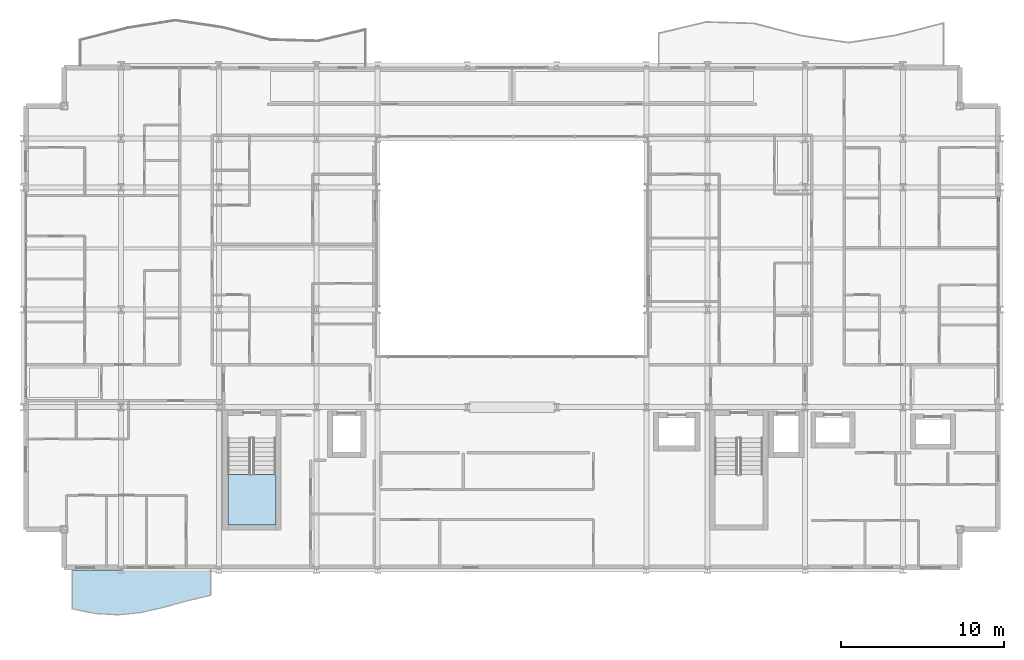
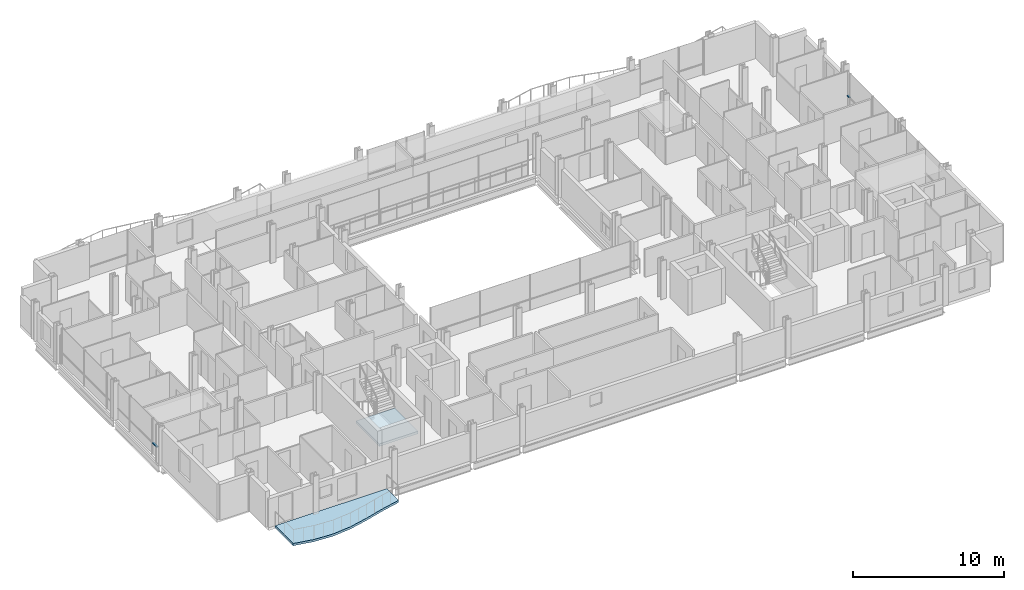
# One storey, part 25 of 41: 2 members, 2 slabs, 3 elements without a shape of their own.
"""IFC4 building model written with IfcOpenShell, lengths in metres."""

from ifc_helpers import new_model, si_unit, direction, frame, origin, origin_2d, place, context, subcontext, project, spatial, polyline, hollow_rectangle, outline, extrude, material, layer, layer_set, material_profile, profile_set, type_object, element, aggregate, save


model = new_model("IFC4")

# Units and contexts
model_context = context("Model", 3, precision=1e-05, world=origin(), true_north=direction((0.0, 1.0)))
body_context = subcontext(model_context, "Body", "Model", "MODEL_VIEW")
ifc_project = project(units=[si_unit("LENGTHUNIT", "METRE"), si_unit("AREAUNIT", "SQUARE_METRE"), si_unit("VOLUMEUNIT", "CUBIC_METRE"), si_unit("PLANEANGLEUNIT", "RADIAN"), si_unit("MASSUNIT", "GRAM", prefix="KILO")], contexts=[model_context])

# Site, building, storey
site_placement = place(None, origin())
site = spatial("IfcSite", under=ifc_project, at=site_placement, CompositionType="ELEMENT")
building_placement = place(site_placement, origin())
building = spatial("IfcBuilding", under=site, at=building_placement, Name="Brevholm Reach", CompositionType="ELEMENT")
storey_placement = place(building_placement, frame((0.0, 0.0, 43.5)))
storey = spatial("IfcBuildingStorey", under=building, at=storey_placement, Name="L11", CompositionType="ELEMENT", Elevation=43.5)

# Curtain wall, member
ifc_material_1 = material(Name="Dark Anodised Aluminium 6063-T6 and Solar-Control Glass", Category="aluminium")
ifc_layer_1 = layer(ifc_material_1, 0.14990234375)
ifc_layer_set_1 = layer_set([ifc_layer_1], Name="Dark Anodised Aluminium 6063-T6 and Solar-Control Glass")
curtain_wall_type = type_object("IfcCurtainWallType", Name="CW-01", PredefinedType="NOTDEFINED", material=ifc_layer_set_1)
curtain_wall_1_placement = place(storey_placement, origin())
curtain_wall_1 = element("IfcCurtainWall", 1, at=curtain_wall_1_placement, inside=storey, type_object=curtain_wall_type, Name="L11 Curtain Wall CW-01", PredefinedType="NOTDEFINED")
ifc_material_2 = material(Name="Dark Anodised Aluminium 6063-T6", Category="aluminium")
ifc_material_profile = material_profile(ifc_material_2, hollow_rectangle(XDim=0.06494140625, YDim=0.14990234375, WallThickness=0.0048828125, InnerFilletRadius=0.0048828125, OuterFilletRadius=0.010009765625, at=origin_2d()), Name="RHS 150x65x5")
ifc_profile_set = profile_set([ifc_material_profile], Name="Dark Anodised Aluminium 6063-T6")
member_type = type_object("IfcMemberType", Name="CWT-150", PredefinedType="NOTDEFINED", material=ifc_profile_set)
member_1_placement = place(storey_placement, frame((0.14990234375, 11.1875, 0.89990234375), z_axis=(0.0, -1.0, 0.0), x_axis=(0.0, 0.0, 1.0)))
member_1 = element("IfcMember", 2, at=member_1_placement, type_object=member_type, Name="CT-150 Transom 5.1", ObjectType="TRANSOM", PredefinedType="USERDEFINED", context=body_context, shape_type="SweptSolid", body=[
    extrude(hollow_rectangle(XDim=0.06494140625, YDim=0.14990234375, WallThickness=0.0048828125, InnerFilletRadius=0.0048828125, OuterFilletRadius=0.010009765625, at=origin_2d()), origin(), (0.0, 0.0, 1.0), 0.572509765625),
])
aggregate(curtain_wall_1, [member_1])

curtain_wall_2_placement = place(storey_placement, origin())
curtain_wall_2 = element("IfcCurtainWall", 3, at=curtain_wall_2_placement, inside=storey, type_object=curtain_wall_type, Name="L11 Curtain Wall CW-01", PredefinedType="NOTDEFINED")
member_2_placement = place(storey_placement, frame((59.85009765625, 22.58251953125, 0.89990234375), z_axis=(0.0, 1.0, 0.0), x_axis=(0.0, 0.0, 1.0)))
member_2 = element("IfcMember", 4, at=member_2_placement, type_object=member_type, Name="CT-150 Transom 5.1", ObjectType="TRANSOM", PredefinedType="USERDEFINED", context=body_context, shape_type="SweptSolid", body=[
    extrude(hollow_rectangle(XDim=0.06494140625, YDim=0.14990234375, WallThickness=0.0048828125, InnerFilletRadius=0.0048828125, OuterFilletRadius=0.010009765625, at=origin_2d()), origin(), (0.0, 0.0, 1.0), 0.302490234375),
])
aggregate(curtain_wall_2, [member_2])

# Slab
ifc_material_3 = material(Name="Precast Concrete C40/50", Category="concrete")
ifc_layer_2 = layer(ifc_material_3, 0.179931640625)
ifc_layer_set_2 = layer_set([ifc_layer_2], Name="Precast Concrete C40/50")
slab_type_1 = type_object("IfcSlabType", Name="SLB-BAL-180", PredefinedType="FLOOR", material=ifc_layer_set_2)
slab_1_placement = place(storey_placement, frame((0.0, 0.0, -0.179931640625)))
element("IfcSlab", 5, at=slab_1_placement, inside=storey, type_object=slab_type_1, Name="L11 Rippling External Balcony SW", PredefinedType="FLOOR", context=body_context, shape_type="SweptSolid", body=[
    extrude(outline(polyline([(3.0, -2.38134765625), (4.416748046875, -2.665283203125), (5.833251953125, -2.747314453125), (7.25, -2.599609375), (8.666748046875, -2.2724609375), (10.083251953125, -1.877685546875), (11.5, -1.55029296875), (11.5, 0.0), (3.0, 0.0), (3.0, -2.38134765625)])), origin(), (0.0, 0.0, 1.0), 0.179931640625),
])

# Stair, slab
ifc_material_4 = material(Name="Precast Concrete C40/50", Category="concrete")
stair_type = type_object("IfcStairType", Name="STR-ESC-1400", PredefinedType="DOUBLE_RETURN_STAIR", material=ifc_material_4)
stair_placement = place(storey_placement, origin())
stair = element("IfcStair", 6, at=stair_placement, inside=storey, type_object=stair_type, Name="L11 ST-1", PredefinedType="DOUBLE_RETURN_STAIR")
ifc_material_5 = material(Name="Concrete C40/50", Category="concrete")
ifc_layer_3 = layer(ifc_material_5, 0.199951171875)
ifc_layer_set_3 = layer_set([ifc_layer_3], Name="Concrete C40/50")
slab_type_2 = type_object("IfcSlabType", Name="SLB-LND-200", PredefinedType="LANDING", material=ifc_layer_set_3)
slab_2_placement = place(storey_placement, frame((0.0, 0.0, 1.35009765625)))
slab_2 = element("IfcSlab", 7, at=slab_2_placement, type_object=slab_type_2, Name="ST-1 landing 1", PredefinedType="LANDING", context=body_context, shape_type="SweptSolid", body=[
    extrude(outline(polyline([(12.550048828125, 5.860107421875), (12.550048828125, 2.780029296875), (15.5, 2.780029296875), (15.5, 5.860107421875), (12.550048828125, 5.860107421875)])), origin(), (0.0, 0.0, 1.0), 0.199951171875),
])
aggregate(stair, [slab_2])

save(model, "model.ifc")
